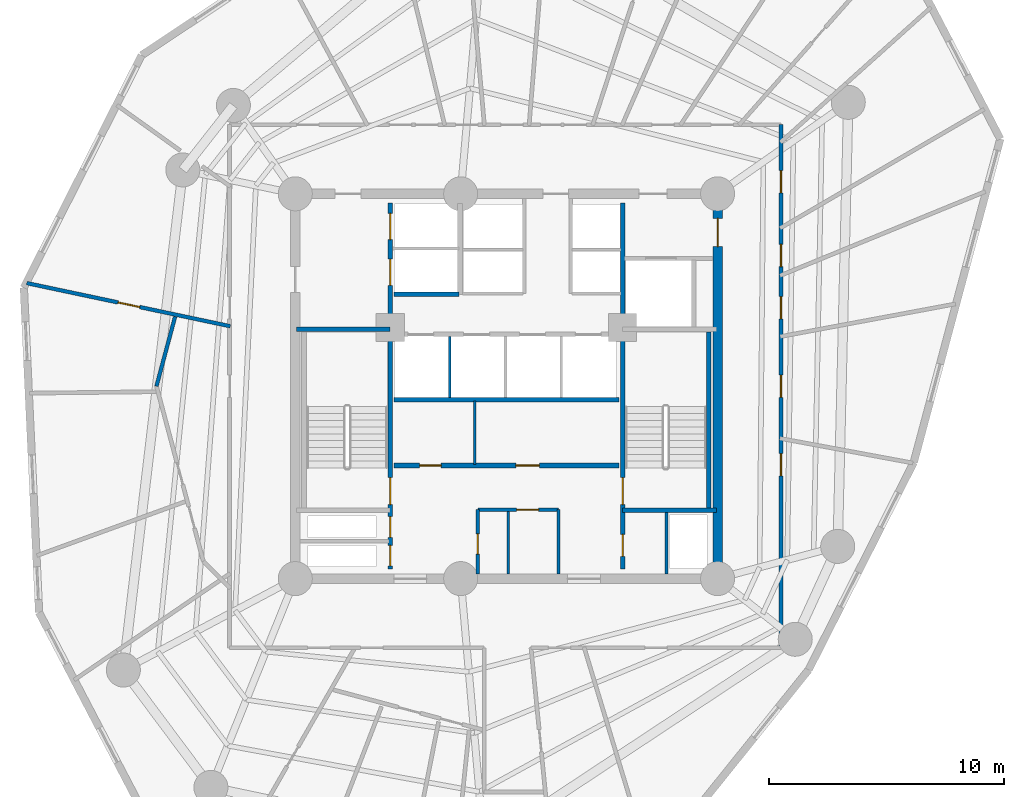
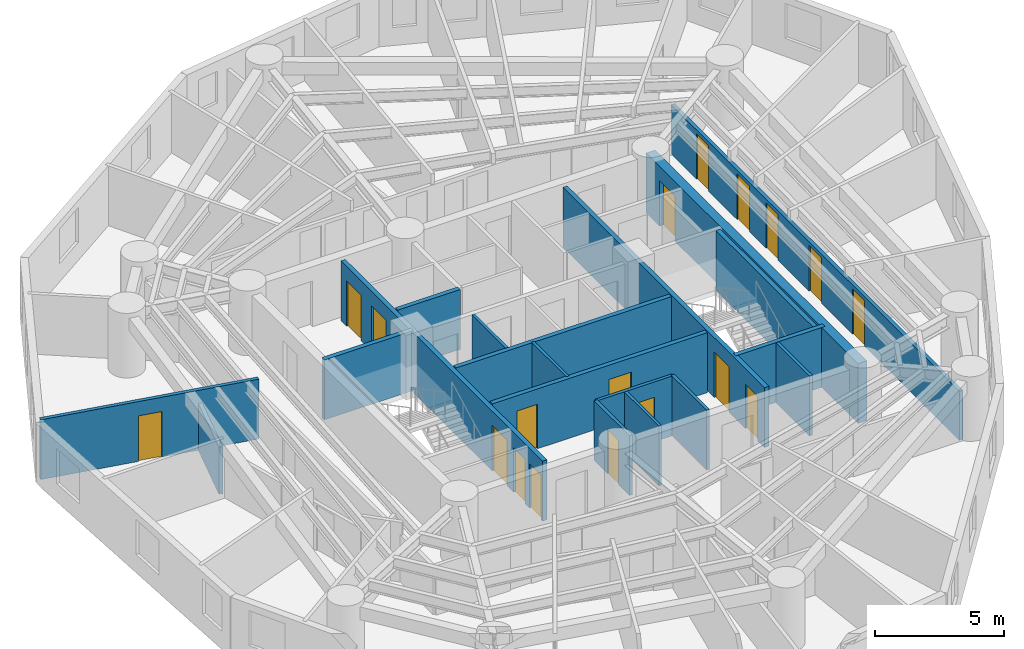
# One storey, part 4 of 8: 19 walls, 18 doors, 18 openings.
"""IFC4 building model written with IfcOpenShell, lengths in metres."""

from ifc_helpers import new_model, si_unit, direction, frame, frame_2d, origin, origin_with_axes, place, context, subcontext, project, spatial, rectangle, extrude, source, transform, mapped, material, layer, layer_set, type_object, element, fill, save


model = new_model("IFC4")

# Units and contexts
model_context = context("Model", 3, precision=1e-05, world=origin(), true_north=direction((0.0, 1.0)))
body_context = subcontext(model_context, "Body", "Model", "MODEL_VIEW")
ifc_project = project(units=[si_unit("LENGTHUNIT", "METRE"), si_unit("AREAUNIT", "SQUARE_METRE"), si_unit("VOLUMEUNIT", "CUBIC_METRE"), si_unit("PLANEANGLEUNIT", "RADIAN"), si_unit("MASSUNIT", "GRAM", prefix="KILO")], contexts=[model_context])

# Site, building, storey
site_placement = place(None, origin())
site = spatial("IfcSite", under=ifc_project, at=site_placement, CompositionType="ELEMENT")
building_placement = place(site_placement, origin())
building = spatial("IfcBuilding", under=site, at=building_placement, Name="Karkom Vertical University and Central Library", CompositionType="ELEMENT")
storey_placement = place(building_placement, frame((0.0, 0.0, 120.60009765625)))
storey = spatial("IfcBuildingStorey", under=building, at=storey_placement, Name="L33", CompositionType="ELEMENT", Elevation=120.60009765625)

# Wall, openings, doors
ifc_material_1 = material(Name="Insulated metal-stud drywall 160mm", Category="gypsum")
ifc_layer_1 = layer(ifc_material_1, 0.159912109375)
ifc_layer_set_1 = layer_set([ifc_layer_1], Name="Insulated metal-stud drywall 160mm")
wall_type_1 = type_object("IfcWallType", Name="INT-WL-COR-160", PredefinedType="PARTITIONING", material=ifc_layer_set_1)
wall_1_placement = place(storey_placement, frame((40.199951171875, 37.64990234375, 0.0), z_axis=(0.0, 0.0, 1.0), x_axis=(0.0, -1.0, 0.0)))
wall_1 = element("IfcWall", 1, at=wall_1_placement, inside=storey, type_object=wall_type_1, Name="Level 33 Interior Partition Wall L33-CORW-CW-004", PredefinedType="PARTITIONING", context=body_context, shape_type="SweptSolid", body=[
    extrude(rectangle(XDim=22.2998046875, YDim=0.159912109375, at=frame_2d((11.14990234375, 0.0))), origin(), (0.0, 0.0, 1.0), 2.324951171875),
])
opening_1_placement = place(wall_1_placement, frame((14.02001953125, 0.0, 0.0)))
opening_1 = element("IfcOpeningElement", 2, at=opening_1_placement, cuts=wall_1, Name="Opening D-RM1", PredefinedType="OPENING", context=body_context, shape_type="SweptSolid", body=[
    extrude(rectangle(XDim=0.949951171875, YDim=2.14990234375, at=frame_2d((0.47509765625, 1.074951171875))), frame((0.0, 0.08984375, 0.0), z_axis=(0.0, -1.0, 0.0), x_axis=(1.0, 0.0, 0.0)), (0.0, 0.0, 1.0), 0.179931640625),
])
opening_2_placement = place(wall_1_placement, frame((10.675048828125, 0.0, 0.0)))
opening_2 = element("IfcOpeningElement", 3, at=opening_2_placement, cuts=wall_1, Name="Opening D-RM1", PredefinedType="OPENING", context=body_context, shape_type="SweptSolid", body=[
    extrude(rectangle(XDim=0.949951171875, YDim=2.14990234375, at=frame_2d((0.47509765625, 1.074951171875))), frame((0.0, 0.08984375, 0.0), z_axis=(0.0, -1.0, 0.0), x_axis=(1.0, 0.0, 0.0)), (0.0, 0.0, 1.0), 0.179931640625),
])
opening_3_placement = place(wall_1_placement, frame((7.330078125, 0.0, 0.0)))
opening_3 = element("IfcOpeningElement", 4, at=opening_3_placement, cuts=wall_1, Name="Opening D-RM1", PredefinedType="OPENING", context=body_context, shape_type="SweptSolid", body=[
    extrude(rectangle(XDim=0.949951171875, YDim=2.14990234375, at=frame_2d((0.47509765625, 1.074951171875))), frame((0.0, 0.08984375, 0.0), z_axis=(0.0, -1.0, 0.0), x_axis=(1.0, 0.0, 0.0)), (0.0, 0.0, 1.0), 0.179931640625),
])
opening_4_placement = place(wall_1_placement, frame((5.10009765625, 0.0, 0.0)))
opening_4 = element("IfcOpeningElement", 5, at=opening_4_placement, cuts=wall_1, Name="Opening D-RM1", PredefinedType="OPENING", context=body_context, shape_type="SweptSolid", body=[
    extrude(rectangle(XDim=0.949951171875, YDim=2.14990234375, at=frame_2d((0.47509765625, 1.074951171875))), frame((0.0, 0.08984375, 0.0), z_axis=(0.0, -1.0, 0.0), x_axis=(1.0, 0.0, 0.0)), (0.0, 0.0, 1.0), 0.179931640625),
])
opening_5_placement = place(wall_1_placement, frame((1.9619140625, 0.0, 0.0)))
opening_5 = element("IfcOpeningElement", 6, at=opening_5_placement, cuts=wall_1, Name="Opening D-RM1", PredefinedType="OPENING", context=body_context, shape_type="SweptSolid", body=[
    extrude(rectangle(XDim=0.949951171875, YDim=2.14990234375, at=frame_2d((0.47509765625, 1.074951171875))), frame((0.0, 0.08984375, 0.0), z_axis=(0.0, -1.0, 0.0), x_axis=(1.0, 0.0, 0.0)), (0.0, 0.0, 1.0), 0.179931640625),
])
ifc_material_2 = material(Name="Solid-core oak veneer door", Category="wood")
door_type_1 = type_object("IfcDoorType", Name="INT-DR-RM1", OperationType="NOTDEFINED", PredefinedType="DOOR", material=ifc_material_2)
shared_shape_1 = source(origin_with_axes(), body_context, "Body", "SweptSolid", [
    extrude(rectangle(XDim=0.949951171875, YDim=2.14990234375, at=frame_2d((0.47509765625, 1.074951171875))), frame((0.0, 0.02490234375, 0.0), z_axis=(0.0, -1.0, 0.0), x_axis=(1.0, 0.0, 0.0)), (0.0, 0.0, 1.0), 0.050048828125),
])
door_1_placement = place(opening_1_placement, origin())
door_1 = element("IfcDoor", 7, at=door_1_placement, inside=storey, type_object=door_type_1, Name="Level 33 Room Entry Door 110", OperationType="SINGLE_SWING_LEFT", OverallHeight=2.14990234375, OverallWidth=0.949951171875, PredefinedType="DOOR", context=body_context, shape_type="MappedRepresentation", body=[
    mapped(shared_shape_1, transform((0.0, 0.0, 0.0), scale=1.0)),
])
fill(opening_1, door_1)
door_2_placement = place(opening_2_placement, origin())
door_2 = element("IfcDoor", 8, at=door_2_placement, inside=storey, type_object=door_type_1, Name="Level 33 Room Entry Door 120", OperationType="SINGLE_SWING_RIGHT", OverallHeight=2.14990234375, OverallWidth=0.949951171875, PredefinedType="DOOR", context=body_context, shape_type="MappedRepresentation", body=[
    mapped(shared_shape_1, transform((0.0, 0.0, 0.0), scale=1.0)),
])
fill(opening_2, door_2)
door_3_placement = place(opening_3_placement, origin())
door_3 = element("IfcDoor", 9, at=door_3_placement, inside=storey, type_object=door_type_1, Name="Level 33 Room Entry Door 130", OperationType="SINGLE_SWING_LEFT", OverallHeight=2.14990234375, OverallWidth=0.949951171875, PredefinedType="DOOR", context=body_context, shape_type="MappedRepresentation", body=[
    mapped(shared_shape_1, transform((0.0, 0.0, 0.0), scale=1.0)),
])
fill(opening_3, door_3)
door_4_placement = place(opening_4_placement, origin())
door_4 = element("IfcDoor", 10, at=door_4_placement, inside=storey, type_object=door_type_1, Name="Level 33 Room Entry Door 140", OperationType="SINGLE_SWING_RIGHT", OverallHeight=2.14990234375, OverallWidth=0.949951171875, PredefinedType="DOOR", context=body_context, shape_type="MappedRepresentation", body=[
    mapped(shared_shape_1, transform((0.0, 0.0, 0.0), scale=1.0)),
])
fill(opening_4, door_4)
door_5_placement = place(opening_5_placement, origin())
door_5 = element("IfcDoor", 11, at=door_5_placement, inside=storey, type_object=door_type_1, Name="Level 33 Room Entry Door 150", OperationType="SINGLE_SWING_LEFT", OverallHeight=2.14990234375, OverallWidth=0.949951171875, PredefinedType="DOOR", context=body_context, shape_type="MappedRepresentation", body=[
    mapped(shared_shape_1, transform((0.0, 0.0, 0.0), scale=1.0)),
])
fill(opening_5, door_5)

# Wall, opening, door
wall_2_placement = place(storey_placement, frame((16.729248046875, 29.056640625, 0.0), z_axis=(0.0, 0.0, 1.0), x_axis=(-0.978259014887, 0.207386836109, 0.0)))
wall_2 = element("IfcWall", 12, at=wall_2_placement, inside=storey, type_object=wall_type_1, Name="Level 33 Interior Partition Wall L33-PW-034", PredefinedType="PARTITIONING", context=body_context, shape_type="SweptSolid", body=[
    extrude(rectangle(XDim=8.866943359375, YDim=0.159912109375, at=frame_2d((4.43359375, 0.0))), origin(), (0.0, 0.0, 1.0), 2.824951171875),
])
opening_6_placement = place(wall_2_placement, frame((3.94091796875, 0.0, 0.0)))
opening_6 = element("IfcOpeningElement", 13, at=opening_6_placement, cuts=wall_2, Name="Opening D-RM1", PredefinedType="OPENING", context=body_context, shape_type="SweptSolid", body=[
    extrude(rectangle(XDim=0.949951171875, YDim=2.14990234375, at=frame_2d((0.47509765625, 1.074951171875))), frame((0.0, 0.08984375, 0.0), z_axis=(0.0, -1.0, 0.0), x_axis=(1.0, 0.0, 0.0)), (0.0, 0.0, 1.0), 0.179931640625),
])
door_6_placement = place(opening_6_placement, origin())
door_6 = element("IfcDoor", 14, at=door_6_placement, inside=storey, type_object=door_type_1, Name="Level 33 Room Entry Door 260", OperationType="SINGLE_SWING_LEFT", OverallHeight=2.14990234375, OverallWidth=0.949951171875, PredefinedType="DOOR", context=body_context, shape_type="MappedRepresentation", body=[
    mapped(shared_shape_1, transform((0.0, 0.0, 0.0), scale=1.0)),
])
fill(opening_6, door_6)

# Walls
wall_3_placement = place(storey_placement, frame((13.582763671875, 26.5, 0.0), z_axis=(0.0, 0.0, 1.0), x_axis=(0.258849998641, 0.965917531782, 0.0)))
element("IfcWall", 15, at=wall_3_placement, inside=storey, type_object=wall_type_1, Name="Level 33 Interior Partition Wall L33-PW-004", PredefinedType="PARTITIONING", context=body_context, shape_type="SweptSolid", body=[
    extrude(rectangle(XDim=3.071044921875, YDim=0.159912109375, at=frame_2d((1.53564453125, 0.0))), origin(), (0.0, 0.0, 1.0), 2.224853515625),
])
ifc_material_3 = material(Name="Moisture-resistant drywall 120mm", Category="gypsum")
ifc_layer_2 = layer(ifc_material_3, 0.1201171875)
ifc_layer_set_2 = layer_set([ifc_layer_2], Name="Moisture-resistant drywall 120mm")
wall_type_2 = type_object("IfcWallType", Name="INT-WL-INT-120", PredefinedType="PARTITIONING", material=ifc_layer_set_2)
wall_4_placement = place(storey_placement, frame((27.14990234375, 23.169921875, 0.0), z_axis=(0.0, 0.0, 1.0), x_axis=(0.0, 1.0, 0.0)))
element("IfcWall", 16, at=wall_4_placement, inside=storey, type_object=wall_type_2, Name="Level 33 Interior Partition Wall L33-CW-B1-K2", PredefinedType="PARTITIONING", context=body_context, shape_type="SweptSolid", body=[
    extrude(rectangle(XDim=2.7001953125, YDim=0.1201171875, at=frame_2d((1.35009765625, 0.0))), origin(), (0.0, 0.0, 1.0), 2.824951171875),
])
wall_5_placement = place(storey_placement, frame((28.580078125, 18.507080078125, 0.0), z_axis=(0.0, 0.0, 1.0), x_axis=(0.0, 1.0, 0.0)))
element("IfcWall", 17, at=wall_5_placement, inside=storey, type_object=wall_type_2, Name="Level 33 Interior Partition Wall L33-CW-K2-DIV", PredefinedType="PARTITIONING", context=body_context, shape_type="SweptSolid", body=[
    extrude(rectangle(XDim=2.66162109375, YDim=0.1201171875, at=frame_2d((1.330810546875, 0.0))), origin(), (0.0, 0.0, 1.0), 2.824951171875),
])
ifc_layer_3 = layer(ifc_material_3, 0.1201171875)
ifc_layer_set_3 = layer_set([ifc_layer_3], Name="Moisture-resistant drywall 120mm")
wall_type_3 = type_object("IfcWallType", Name="INT-WL-INT-120H", PredefinedType="PARTITIONING", material=ifc_layer_set_3)
wall_6_placement = place(storey_placement, frame((26.080078125, 26.02001953125, 0.0), z_axis=(0.0, 0.0, 1.0), x_axis=(0.0, 1.0, 0.0)))
element("IfcWall", 18, at=wall_6_placement, inside=storey, type_object=wall_type_3, Name="Level 33 Interior Partition Wall L33-CW-PM-DIV1", PredefinedType="PARTITIONING", context=body_context, shape_type="SweptSolid", body=[
    extrude(rectangle(XDim=2.60009765625, YDim=0.1201171875, at=frame_2d((1.300048828125, 0.0))), origin(), (0.0, 0.0, 1.0), 2.824951171875),
])

# Wall, opening, door
ifc_material_4 = material(Name="Metal-stud gypsum partition 140mm", Category="gypsum")
ifc_layer_4 = layer(ifc_material_4, 0.139892578125)
ifc_layer_set_4 = layer_set([ifc_layer_4], Name="Metal-stud gypsum partition 140mm")
wall_type_4 = type_object("IfcWallType", Name="INT-WL-SUB-140", PredefinedType="PARTITIONING", material=ifc_layer_set_4)
wall_7_placement = place(storey_placement, frame((27.280029296875, 21.239990234375, 0.0), z_axis=(0.0, 0.0, 1.0), x_axis=(1.0, 0.0, 0.0)))
wall_7 = element("IfcWall", 19, at=wall_7_placement, inside=storey, type_object=wall_type_4, Name="Level 33 Interior Partition Wall L33-CW-KBAY-N", PredefinedType="PARTITIONING", context=body_context, shape_type="SweptSolid", body=[
    extrude(rectangle(XDim=3.43994140625, YDim=0.139892578125, at=frame_2d((1.719970703125, 0.0))), origin(), (0.0, 0.0, 1.0), 2.824951171875),
])
opening_7_placement = place(wall_7_placement, frame((1.64990234375, 0.0, 0.0)))
opening_7 = element("IfcOpeningElement", 20, at=opening_7_placement, cuts=wall_7, Name="Opening D-WC1", PredefinedType="OPENING", context=body_context, shape_type="SweptSolid", body=[
    extrude(rectangle(XDim=0.93994140625, YDim=2.10009765625, at=frame_2d((0.469970703125, 1.050048828125))), frame((0.0, 0.080078125, 0.0), z_axis=(0.0, -1.0, 0.0), x_axis=(1.0, 0.0, 0.0)), (0.0, 0.0, 1.0), 0.159912109375),
])
ifc_material_5 = material(Name="Fire-rated laminate moisture-resistant door", Category="wood")
door_type_2 = type_object("IfcDoorType", Name="INT-DR-WC1", OperationType="NOTDEFINED", PredefinedType="DOOR", material=ifc_material_5)
shared_shape_2 = source(origin_with_axes(), body_context, "Body", "SweptSolid", [
    extrude(rectangle(XDim=0.93994140625, YDim=2.10009765625, at=frame_2d((0.469970703125, 1.050048828125))), frame((0.0, 0.02490234375, 0.0), z_axis=(0.0, -1.0, 0.0), x_axis=(1.0, 0.0, 0.0)), (0.0, 0.0, 1.0), 0.050048828125),
])
door_7_placement = place(opening_7_placement, origin())
door_7 = element("IfcDoor", 21, at=door_7_placement, inside=storey, type_object=door_type_2, Name="Level 33 Staff WC Door", OperationType="SINGLE_SWING_LEFT", OverallHeight=2.10009765625, OverallWidth=0.93994140625, PredefinedType="DOOR", context=body_context, shape_type="MappedRepresentation", body=[
    mapped(shared_shape_2, transform((0.0, 0.0, 0.0), scale=1.0)),
])
fill(opening_7, door_7)

wall_8_placement = place(storey_placement, frame((27.280029296875, 18.507080078125, 0.0), z_axis=(0.0, 0.0, 1.0), x_axis=(0.0, 1.0, 0.0)))
wall_8 = element("IfcWall", 22, at=wall_8_placement, inside=storey, type_object=wall_type_4, Name="Level 33 Interior Partition Wall L33-CW-KBAY-W", PredefinedType="PARTITIONING", context=body_context, shape_type="SweptSolid", body=[
    extrude(rectangle(XDim=2.73291015625, YDim=0.139892578125, at=frame_2d((1.366455078125, 0.0))), origin(), (0.0, 0.0, 1.0), 2.824951171875),
])
opening_8_placement = place(wall_8_placement, frame((0.840087890625, 0.0, 0.0)))
opening_8 = element("IfcOpeningElement", 23, at=opening_8_placement, cuts=wall_8, Name="Opening D-BATH", PredefinedType="OPENING", context=body_context, shape_type="SweptSolid", body=[
    extrude(rectangle(XDim=0.860107421875, YDim=2.10009765625, at=frame_2d((0.43017578125, 1.050048828125))), frame((0.0, 0.080078125, 0.0), z_axis=(0.0, -1.0, 0.0), x_axis=(1.0, 0.0, 0.0)), (0.0, 0.0, 1.0), 0.159912109375),
])
ifc_material_6 = material(Name="Moisture-resistant oak door", Category="wood")
door_type_3 = type_object("IfcDoorType", Name="INT-DR-BATH", OperationType="NOTDEFINED", PredefinedType="DOOR", material=ifc_material_6)
shared_shape_3 = source(origin_with_axes(), body_context, "Body", "SweptSolid", [
    extrude(rectangle(XDim=0.860107421875, YDim=2.10009765625, at=frame_2d((0.43017578125, 1.050048828125))), frame((0.0, 0.02490234375, 0.0), z_axis=(0.0, -1.0, 0.0), x_axis=(1.0, 0.0, 0.0)), (0.0, 0.0, 1.0), 0.050048828125),
])
door_8_placement = place(opening_8_placement, origin())
door_8 = element("IfcDoor", 24, at=door_8_placement, inside=storey, type_object=door_type_3, Name="Level 33 Cleaners Store Door", OperationType="SINGLE_SWING_RIGHT", OverallHeight=2.10009765625, OverallWidth=0.860107421875, PredefinedType="DOOR", context=body_context, shape_type="MappedRepresentation", body=[
    mapped(shared_shape_3, transform((0.0, 0.0, 0.0), scale=1.0)),
])
fill(opening_8, door_8)

# Walls
wall_9_placement = place(storey_placement, frame((30.719970703125, 18.507080078125, 0.0), z_axis=(0.0, 0.0, 1.0), x_axis=(0.0, 1.0, 0.0)))
element("IfcWall", 25, at=wall_9_placement, inside=storey, type_object=wall_type_4, Name="Level 33 Interior Partition Wall L33-CW-KBAY-E", PredefinedType="PARTITIONING", context=body_context, shape_type="SweptSolid", body=[
    extrude(rectangle(XDim=2.73291015625, YDim=0.139892578125, at=frame_2d((1.366455078125, 0.0))), origin(), (0.0, 0.0, 1.0), 2.824951171875),
])
ifc_layer_5 = layer(ifc_material_4, 0.139892578125)
ifc_layer_set_5 = layer_set([ifc_layer_5], Name="Metal-stud gypsum partition 140mm")
wall_type_5 = type_object("IfcWallType", Name="INT-WL-SUB-140H", PredefinedType="PARTITIONING", material=ifc_layer_set_5)
wall_10_placement = place(storey_placement, frame((35.320068359375, 18.507080078125, 0.0), z_axis=(0.0, 0.0, 1.0), x_axis=(0.0, 1.0, 0.0)))
element("IfcWall", 26, at=wall_10_placement, inside=storey, type_object=wall_type_5, Name="Level 33 Interior Partition Wall L33-CW-RIS-E", PredefinedType="PARTITIONING", context=body_context, shape_type="SweptSolid", body=[
    extrude(rectangle(XDim=2.603759765625, YDim=0.139892578125, at=frame_2d((1.3017578125, 0.0))), origin(), (0.0, 0.0, 1.0), 2.824951171875),
])

# Wall, opening, door
ifc_material_7 = material(Name="Concrete C50/60", Category="concrete")
ifc_layer_6 = layer(ifc_material_7, 0.39990234375)
ifc_layer_set_6 = layer_set([ifc_layer_6], Name="Concrete C50/60")
wall_type_6 = type_object("IfcWallType", Name="STR-WL-CW-400", PredefinedType="SHEAR", material=ifc_layer_set_6)
wall_11_placement = place(storey_placement, frame((37.5, 18.300048828125, 0.0), z_axis=(0.0, 0.0, 1.0), x_axis=(0.0, 1.0, 0.0)))
wall_11 = element("IfcWall", 27, at=wall_11_placement, inside=storey, type_object=wall_type_6, Name="Level 33 Central Core Shear Wall EW", PredefinedType="SHEAR", context=body_context, shape_type="SweptSolid", body=[
    extrude(rectangle(XDim=16.39990234375, YDim=0.39990234375, at=frame_2d((8.199951171875, 0.0))), origin(), (0.0, 0.0, 1.0), 2.824951171875),
])
opening_9_placement = place(wall_11_placement, frame((14.14990234375, 0.0, 0.0)))
opening_9 = element("IfcOpeningElement", 28, at=opening_9_placement, cuts=wall_11, Name="Opening FD-SUB1", PredefinedType="OPENING", context=body_context, shape_type="SweptSolid", body=[
    extrude(rectangle(XDim=1.199951171875, YDim=2.14990234375, at=frame_2d((0.60009765625, 1.074951171875))), frame((0.0, 0.2099609375, 0.0), z_axis=(0.0, -1.0, 0.0), x_axis=(1.0, 0.0, 0.0)), (0.0, 0.0, 1.0), 0.419921875),
])
ifc_material_8 = material(Name="Painted steel fire door", Category="steel")
door_type_4 = type_object("IfcDoorType", Name="INT-DR-SUB1", OperationType="NOTDEFINED", PredefinedType="DOOR", material=ifc_material_8)
shared_shape_4 = source(origin_with_axes(), body_context, "Body", "SweptSolid", [
    extrude(rectangle(XDim=1.199951171875, YDim=2.14990234375, at=frame_2d((0.60009765625, 1.074951171875))), frame((0.0, 0.02490234375, 0.0), z_axis=(0.0, -1.0, 0.0), x_axis=(1.0, 0.0, 0.0)), (0.0, 0.0, 1.0), 0.050048828125),
])
door_9_placement = place(opening_9_placement, origin())
door_9 = element("IfcDoor", 29, at=door_9_placement, inside=storey, type_object=door_type_4, Name="Level 33 East Corridor Service Lobby Door", OperationType="SINGLE_SWING_LEFT", OverallHeight=2.14990234375, OverallWidth=1.199951171875, PredefinedType="DOOR", context=body_context, shape_type="MappedRepresentation", body=[
    mapped(shared_shape_4, transform((0.0, 0.0, 0.0), scale=1.0)),
])
fill(opening_9, door_9)

# Wall, openings, doors
ifc_material_9 = material(Name="Concrete C45/55", Category="concrete")
ifc_layer_7 = layer(ifc_material_9, 0.199951171875)
ifc_layer_set_7 = layer_set([ifc_layer_7], Name="Concrete C45/55")
wall_type_7 = type_object("IfcWallType", Name="STR-WL-ST-200", PredefinedType="SHEAR", material=ifc_layer_set_7)
wall_12_placement = place(storey_placement, frame((23.544921875, 18.699951171875, 0.0), z_axis=(0.0, 0.0, 1.0), x_axis=(0.0, 1.0, 0.0)))
wall_12 = element("IfcWall", 30, at=wall_12_placement, inside=storey, type_object=wall_type_7, Name="Level 33 Core Shaft Wall L33-CW-ST1-E", PredefinedType="SHEAR", context=body_context, shape_type="SweptSolid", body=[
    extrude(rectangle(XDim=15.60009765625, YDim=0.199951171875, at=frame_2d((7.800048828125, 0.0))), origin(), (0.0, 0.0, 1.0), 2.824951171875),
])
opening_10_placement = place(wall_12_placement, frame((2.75, 0.0, 0.0)))
opening_10 = element("IfcOpeningElement", 31, at=opening_10_placement, cuts=wall_12, Name="Opening FD-ST1", PredefinedType="OPENING", context=body_context, shape_type="SweptSolid", body=[
    extrude(rectangle(XDim=1.14990234375, YDim=2.14990234375, at=frame_2d((0.574951171875, 1.074951171875))), frame((0.0, 0.10986328125, 0.0), z_axis=(0.0, -1.0, 0.0), x_axis=(1.0, 0.0, 0.0)), (0.0, 0.0, 1.0), 0.219970703125),
])
opening_11_placement = place(wall_12_placement, frame((0.139892578125, 0.0, 0.0)))
opening_11 = element("IfcOpeningElement", 32, at=opening_11_placement, cuts=wall_12, Name="Opening FD-RIS", PredefinedType="OPENING", context=body_context, shape_type="SweptSolid", body=[
    extrude(rectangle(XDim=0.8798828125, YDim=2.10009765625, at=frame_2d((0.43994140625, 1.050048828125))), frame((0.0, 0.10986328125, 0.0), z_axis=(0.0, -1.0, 0.0), x_axis=(1.0, 0.0, 0.0)), (0.0, 0.0, 1.0), 0.219970703125),
])
opening_12_placement = place(wall_12_placement, frame((1.360107421875, 0.0, 0.0)))
opening_12 = element("IfcOpeningElement", 33, at=opening_12_placement, cuts=wall_12, Name="Opening FD-RIS", PredefinedType="OPENING", context=body_context, shape_type="SweptSolid", body=[
    extrude(rectangle(XDim=0.8798828125, YDim=2.10009765625, at=frame_2d((0.43994140625, 1.050048828125))), frame((0.0, 0.10986328125, 0.0), z_axis=(0.0, -1.0, 0.0), x_axis=(1.0, 0.0, 0.0)), (0.0, 0.0, 1.0), 0.219970703125),
])
opening_13_placement = place(wall_12_placement, frame((12.10009765625, 0.0, 0.0)))
opening_13 = element("IfcOpeningElement", 34, at=opening_13_placement, cuts=wall_12, Name="Opening LD-FFL", PredefinedType="OPENING", context=body_context, shape_type="SweptSolid", body=[
    extrude(rectangle(XDim=1.1201171875, YDim=2.14990234375, at=frame_2d((0.56005859375, 1.074951171875))), frame((0.0, 0.10986328125, 0.0), z_axis=(0.0, -1.0, 0.0), x_axis=(1.0, 0.0, 0.0)), (0.0, 0.0, 1.0), 0.219970703125),
])
opening_14_placement = place(wall_12_placement, frame((14.050048828125, 0.0, 0.0)))
opening_14 = element("IfcOpeningElement", 35, at=opening_14_placement, cuts=wall_12, Name="Opening LD-FFL", PredefinedType="OPENING", context=body_context, shape_type="SweptSolid", body=[
    extrude(rectangle(XDim=1.1201171875, YDim=2.14990234375, at=frame_2d((0.56005859375, 1.074951171875))), frame((0.0, 0.10986328125, 0.0), z_axis=(0.0, -1.0, 0.0), x_axis=(1.0, 0.0, 0.0)), (0.0, 0.0, 1.0), 0.219970703125),
])
ifc_material_10 = material(Name="Painted steel acoustic fire door", Category="steel")
door_type_5 = type_object("IfcDoorType", Name="INT-DR-ST1", OperationType="NOTDEFINED", PredefinedType="DOOR", material=ifc_material_10)
shared_shape_5 = source(origin_with_axes(), body_context, "Body", "SweptSolid", [
    extrude(rectangle(XDim=1.14990234375, YDim=2.14990234375, at=frame_2d((0.574951171875, 1.074951171875))), frame((0.0, 0.02490234375, 0.0), z_axis=(0.0, -1.0, 0.0), x_axis=(1.0, 0.0, 0.0)), (0.0, 0.0, 1.0), 0.050048828125),
])
door_10_placement = place(opening_10_placement, origin())
door_10 = element("IfcDoor", 36, at=door_10_placement, inside=storey, type_object=door_type_5, Name="Level 33 Stair ST-1 Fire Door", OperationType="SINGLE_SWING_LEFT", OverallHeight=2.14990234375, OverallWidth=1.14990234375, PredefinedType="DOOR", context=body_context, shape_type="MappedRepresentation", body=[
    mapped(shared_shape_5, transform((0.0, 0.0, 0.0), scale=1.0)),
])
fill(opening_10, door_10)
ifc_material_11 = material(Name="Painted steel riser access door", Category="steel")
door_type_6 = type_object("IfcDoorType", Name="INT-DR-RIS", OperationType="NOTDEFINED", PredefinedType="DOOR", material=ifc_material_11)
shared_shape_6 = source(origin_with_axes(), body_context, "Body", "SweptSolid", [
    extrude(rectangle(XDim=0.8798828125, YDim=2.10009765625, at=frame_2d((0.43994140625, 1.050048828125))), frame((0.0, 0.02490234375, 0.0), z_axis=(0.0, -1.0, 0.0), x_axis=(1.0, 0.0, 0.0)), (0.0, 0.0, 1.0), 0.050048828125),
])
door_11_placement = place(opening_11_placement, origin())
door_11 = element("IfcDoor", 37, at=door_11_placement, inside=storey, type_object=door_type_6, Name="Level 33 Electrical Riser Access Door", OperationType="SINGLE_SWING_LEFT", OverallHeight=2.10009765625, OverallWidth=0.8798828125, PredefinedType="DOOR", context=body_context, shape_type="MappedRepresentation", body=[
    mapped(shared_shape_6, transform((0.0, 0.0, 0.0), scale=1.0)),
])
fill(opening_11, door_11)
door_12_placement = place(opening_12_placement, origin())
door_12 = element("IfcDoor", 38, at=door_12_placement, inside=storey, type_object=door_type_6, Name="Level 33 Telecom Riser Access Door", OperationType="SINGLE_SWING_RIGHT", OverallHeight=2.10009765625, OverallWidth=0.8798828125, PredefinedType="DOOR", context=body_context, shape_type="MappedRepresentation", body=[
    mapped(shared_shape_6, transform((0.0, 0.0, 0.0), scale=1.0)),
])
fill(opening_12, door_12)
ifc_material_12 = material(Name="Fire-rated stainless-steel landing door", Category="steel")
door_type_7 = type_object("IfcDoorType", Name="INT-DR-LD-FFL", OperationType="SLIDING_TO_LEFT", PredefinedType="DOOR", material=ifc_material_12)
shared_shape_7 = source(origin_with_axes(), body_context, "Body", "SweptSolid", [
    extrude(rectangle(XDim=1.1201171875, YDim=2.14990234375, at=frame_2d((0.56005859375, 1.074951171875))), frame((0.0, 0.02490234375, 0.0), z_axis=(0.0, -1.0, 0.0), x_axis=(1.0, 0.0, 0.0)), (0.0, 0.0, 1.0), 0.050048828125),
])
door_13_placement = place(opening_13_placement, origin())
door_13 = element("IfcDoor", 39, at=door_13_placement, inside=storey, type_object=door_type_7, Name="Level 33 Firefighting Lift FFL-1 Landing Door", OperationType="SLIDING_TO_LEFT", OverallHeight=2.14990234375, OverallWidth=1.1201171875, PredefinedType="DOOR", context=body_context, shape_type="MappedRepresentation", body=[
    mapped(shared_shape_7, transform((0.0, 0.0, 0.0), scale=1.0)),
])
fill(opening_13, door_13)
door_14_placement = place(opening_14_placement, origin())
door_14 = element("IfcDoor", 40, at=door_14_placement, inside=storey, type_object=door_type_7, Name="Level 33 Firefighting Lift FFL-2 Landing Door", OperationType="SLIDING_TO_RIGHT", OverallHeight=2.14990234375, OverallWidth=1.1201171875, PredefinedType="DOOR", context=body_context, shape_type="MappedRepresentation", body=[
    mapped(shared_shape_7, transform((0.0, 0.0, 0.0), scale=1.0)),
])
fill(opening_14, door_14)

wall_13_placement = place(storey_placement, frame((33.455078125, 18.699951171875, 0.0), z_axis=(0.0, 0.0, 1.0), x_axis=(0.0, 1.0, 0.0)))
wall_13 = element("IfcWall", 41, at=wall_13_placement, inside=storey, type_object=wall_type_7, Name="Level 33 Core Shaft Wall L33-CW-ST2-W", PredefinedType="SHEAR", context=body_context, shape_type="SweptSolid", body=[
    extrude(rectangle(XDim=15.60009765625, YDim=0.199951171875, at=frame_2d((7.800048828125, 0.0))), origin(), (0.0, 0.0, 1.0), 2.824951171875),
])
opening_15_placement = place(wall_13_placement, frame((2.75, 0.0, 0.0)))
opening_15 = element("IfcOpeningElement", 42, at=opening_15_placement, cuts=wall_13, Name="Opening FD-ST1", PredefinedType="OPENING", context=body_context, shape_type="SweptSolid", body=[
    extrude(rectangle(XDim=1.14990234375, YDim=2.14990234375, at=frame_2d((0.574951171875, 1.074951171875))), frame((0.0, 0.10986328125, 0.0), z_axis=(0.0, -1.0, 0.0), x_axis=(1.0, 0.0, 0.0)), (0.0, 0.0, 1.0), 0.219970703125),
])
opening_16_placement = place(wall_13_placement, frame((0.550048828125, 0.0, 0.0)))
opening_16 = element("IfcOpeningElement", 43, at=opening_16_placement, cuts=wall_13, Name="Opening D-WC1", PredefinedType="OPENING", context=body_context, shape_type="SweptSolid", body=[
    extrude(rectangle(XDim=0.93994140625, YDim=2.10009765625, at=frame_2d((0.469970703125, 1.050048828125))), frame((0.0, 0.10986328125, 0.0), z_axis=(0.0, -1.0, 0.0), x_axis=(1.0, 0.0, 0.0)), (0.0, 0.0, 1.0), 0.219970703125),
])
door_15_placement = place(opening_15_placement, origin())
door_15 = element("IfcDoor", 44, at=door_15_placement, inside=storey, type_object=door_type_5, Name="Level 33 Stair ST-2 Fire Door", OperationType="SINGLE_SWING_RIGHT", OverallHeight=2.14990234375, OverallWidth=1.14990234375, PredefinedType="DOOR", context=body_context, shape_type="MappedRepresentation", body=[
    mapped(shared_shape_5, transform((0.0, 0.0, 0.0), scale=1.0)),
])
fill(opening_15, door_15)
door_16_placement = place(opening_16_placement, origin())
door_16 = element("IfcDoor", 45, at=door_16_placement, inside=storey, type_object=door_type_2, Name="Level 33 Accessible WC Door", OperationType="SINGLE_SWING_LEFT", OverallHeight=2.10009765625, OverallWidth=0.93994140625, PredefinedType="DOOR", context=body_context, shape_type="MappedRepresentation", body=[
    mapped(shared_shape_2, transform((0.0, 0.0, 0.0), scale=1.0)),
])
fill(opening_16, door_16)

wall_14_placement = place(storey_placement, frame((23.699951171875, 23.1201171875, 0.0), z_axis=(0.0, 0.0, 1.0), x_axis=(1.0, 0.0, 0.0)))
wall_14 = element("IfcWall", 46, at=wall_14_placement, inside=storey, type_object=wall_type_7, Name="Level 33 Core Shaft Wall L33-CW-B1-S", PredefinedType="SHEAR", context=body_context, shape_type="SweptSolid", body=[
    extrude(rectangle(XDim=9.60009765625, YDim=0.199951171875, at=frame_2d((4.800048828125, 0.0))), origin(), (0.0, 0.0, 1.0), 2.824951171875),
])
opening_17_placement = place(wall_14_placement, frame((1.10009765625, 0.0, 0.0)))
opening_17 = element("IfcOpeningElement", 47, at=opening_17_placement, cuts=wall_14, Name="Opening D-SVC1", PredefinedType="OPENING", context=body_context, shape_type="SweptSolid", body=[
    extrude(rectangle(XDim=0.919921875, YDim=2.10009765625, at=frame_2d((0.4599609375, 1.050048828125))), frame((0.0, 0.10986328125, 0.0), z_axis=(0.0, -1.0, 0.0), x_axis=(1.0, 0.0, 0.0)), (0.0, 0.0, 1.0), 0.219970703125),
])
opening_18_placement = place(wall_14_placement, frame((5.199951171875, 0.0, 0.0)))
opening_18 = element("IfcOpeningElement", 48, at=opening_18_placement, cuts=wall_14, Name="Opening D-STR1", PredefinedType="OPENING", context=body_context, shape_type="SweptSolid", body=[
    extrude(rectangle(XDim=1.0, YDim=2.14990234375, at=frame_2d((0.5, 1.074951171875))), frame((0.0, 0.10986328125, 0.0), z_axis=(0.0, -1.0, 0.0), x_axis=(1.0, 0.0, 0.0)), (0.0, 0.0, 1.0), 0.219970703125),
])
ifc_material_13 = material(Name="Painted timber service door", Category="wood")
door_type_8 = type_object("IfcDoorType", Name="INT-DR-SVC1", OperationType="NOTDEFINED", PredefinedType="DOOR", material=ifc_material_13)
shared_shape_8 = source(origin_with_axes(), body_context, "Body", "SweptSolid", [
    extrude(rectangle(XDim=0.919921875, YDim=2.10009765625, at=frame_2d((0.4599609375, 1.050048828125))), frame((0.0, 0.02490234375, 0.0), z_axis=(0.0, -1.0, 0.0), x_axis=(1.0, 0.0, 0.0)), (0.0, 0.0, 1.0), 0.050048828125),
])
door_17_placement = place(opening_17_placement, origin())
door_17 = element("IfcDoor", 49, at=door_17_placement, inside=storey, type_object=door_type_8, Name="Level 33 B1 West Store Door", OperationType="SINGLE_SWING_RIGHT", OverallHeight=2.10009765625, OverallWidth=0.919921875, PredefinedType="DOOR", context=body_context, shape_type="MappedRepresentation", body=[
    mapped(shared_shape_8, transform((0.0, 0.0, 0.0), scale=1.0)),
])
fill(opening_17, door_17)
ifc_material_14 = material(Name="Solid-core hardwood fire door", Category="wood")
door_type_9 = type_object("IfcDoorType", Name="INT-DR-STR1", OperationType="NOTDEFINED", PredefinedType="DOOR", material=ifc_material_14)
shared_shape_9 = source(origin_with_axes(), body_context, "Body", "SweptSolid", [
    extrude(rectangle(XDim=1.0, YDim=2.14990234375, at=frame_2d((0.5, 1.074951171875))), frame((0.0, 0.02490234375, 0.0), z_axis=(0.0, -1.0, 0.0), x_axis=(1.0, 0.0, 0.0)), (0.0, 0.0, 1.0), 0.050048828125),
])
door_18_placement = place(opening_18_placement, origin())
door_18 = element("IfcDoor", 50, at=door_18_placement, inside=storey, type_object=door_type_9, Name="Level 33 B1 East Plant Door", OperationType="SINGLE_SWING_LEFT", OverallHeight=2.14990234375, OverallWidth=1.0, PredefinedType="DOOR", context=body_context, shape_type="MappedRepresentation", body=[
    mapped(shared_shape_9, transform((0.0, 0.0, 0.0), scale=1.0)),
])
fill(opening_18, door_18)

# Walls
wall_15_placement = place(storey_placement, frame((23.699951171875, 25.919921875, 0.0), z_axis=(0.0, 0.0, 1.0), x_axis=(1.0, 0.0, 0.0)))
element("IfcWall", 51, at=wall_15_placement, inside=storey, type_object=wall_type_7, Name="Level 33 Core Shaft Wall L33-CW-B1-N", PredefinedType="SHEAR", context=body_context, shape_type="SweptSolid", body=[
    extrude(rectangle(XDim=9.60009765625, YDim=0.199951171875, at=frame_2d((4.800048828125, 0.0))), origin(), (0.0, 0.0, 1.0), 2.824951171875),
])
wall_16_placement = place(storey_placement, frame((37.125, 21.320068359375, 0.0), z_axis=(0.0, 0.0, 1.0), x_axis=(0.0, 1.0, 0.0)))
element("IfcWall", 52, at=wall_16_placement, inside=storey, type_object=wall_type_7, Name="Level 33 Core Shaft Wall L33-CW-ST2-E", PredefinedType="SHEAR", context=body_context, shape_type="SweptSolid", body=[
    extrude(rectangle(XDim=7.5, YDim=0.199951171875, at=frame_2d((3.75, 0.0))), origin(), (0.0, 0.0, 1.0), 2.824951171875),
])
for number, where, z_axis, x_axis, name in (
    (53, (33.455078125, 21.215087890625, 0.0), (0.0, 0.0, 1.0), (1.0, 0.0, 0.0), "Level 33 Core Shaft Wall L33-CW-ST2-S"),
    (54, (19.550048828125, 28.925048828125, 0.0), (0.0, 0.0, 1.0), (1.0, 0.0, 0.0), "Level 33 Core Shaft Wall L33-CW-ST1-N"),
):
    element("IfcWall", number, at=place(storey_placement, frame(where, z_axis=z_axis, x_axis=x_axis)), inside=storey, type_object=wall_type_7, Name=name, PredefinedType="SHEAR", context=body_context, shape_type="SweptSolid", body=[
        extrude(rectangle(XDim=3.994873046875, YDim=0.199951171875, at=frame_2d((1.99755859375, 0.0))), origin(), (0.0, 0.0, 1.0), 2.824951171875),
    ])
wall_17_placement = place(storey_placement, frame((23.699951171875, 30.419921875, 0.0), z_axis=(0.0, 0.0, 1.0), x_axis=(1.0, 0.0, 0.0)))
element("IfcWall", 55, at=wall_17_placement, inside=storey, type_object=wall_type_7, Name="Level 33 Core Shaft Wall L33-CW-FFL-S", PredefinedType="SHEAR", context=body_context, shape_type="SweptSolid", body=[
    extrude(rectangle(XDim=2.780029296875, YDim=0.199951171875, at=frame_2d((1.39013671875, 0.0))), origin(), (0.0, 0.0, 1.0), 2.824951171875),
])

save(model, "model.ifc")
